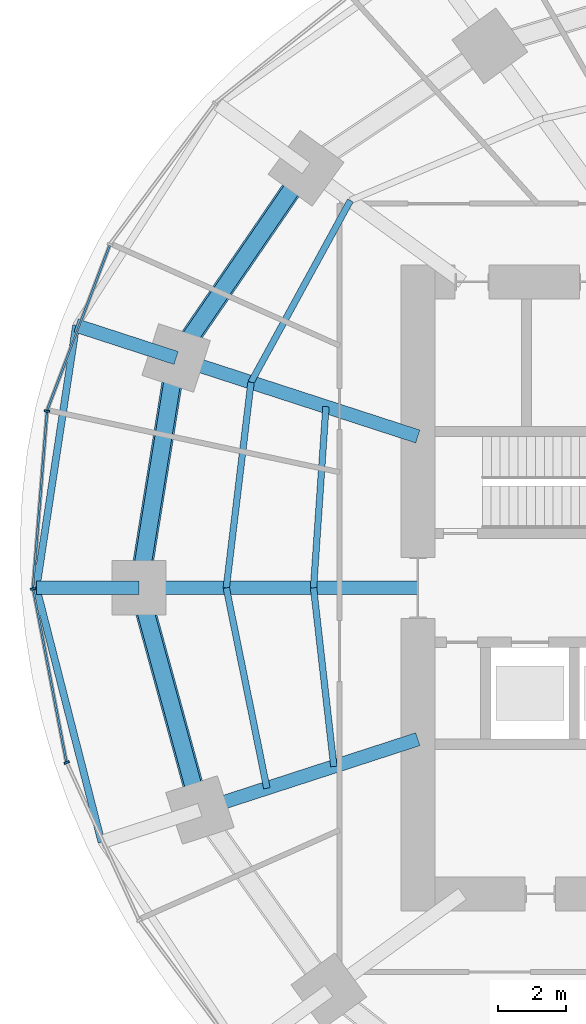
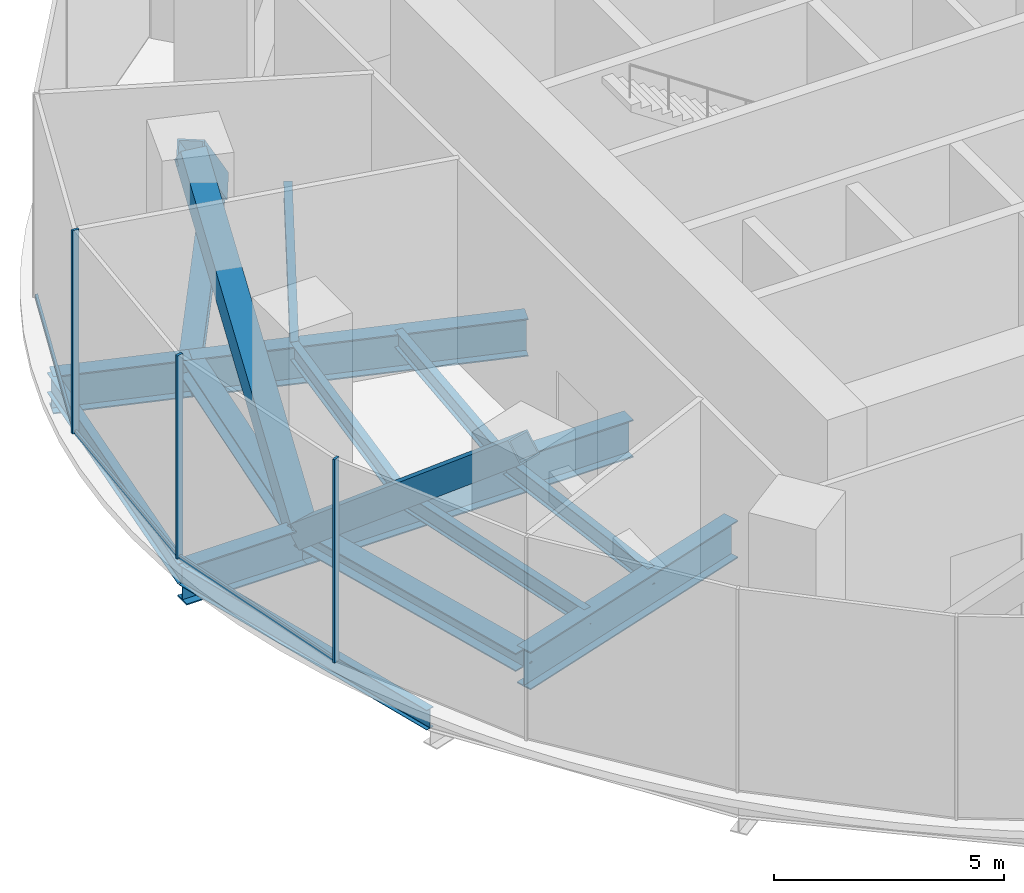
# One storey, part 4 of 14: 12 beams, 12 members, 2 elements without a shape of their own.
"""IFC4 building model written with IfcOpenShell, lengths in metres."""

from ifc_helpers import new_model, si_unit, direction, frame, origin, origin_2d, place, context, subcontext, project, spatial, rectangle, hollow_rectangle, i_section, extrude, material, material_profile, profile_set, type_object, element, aggregate, save


model = new_model("IFC4")

# Units and contexts
model_context = context("Model", 3, precision=1e-05, world=origin(), true_north=direction((0.0, 1.0)))
body_context = subcontext(model_context, "Body", "Model", "MODEL_VIEW")
ifc_project = project(units=[si_unit("LENGTHUNIT", "METRE"), si_unit("AREAUNIT", "SQUARE_METRE"), si_unit("VOLUMEUNIT", "CUBIC_METRE"), si_unit("PLANEANGLEUNIT", "RADIAN"), si_unit("MASSUNIT", "GRAM", prefix="KILO")], contexts=[model_context])

# Site, building, storey
site_placement = place(None, origin())
site = spatial("IfcSite", under=ifc_project, at=site_placement, CompositionType="ELEMENT")
building_placement = place(site_placement, origin())
building = spatial("IfcBuilding", under=site, at=building_placement, Name="Marramba Exchange Tower", CompositionType="ELEMENT")
storey_placement = place(building_placement, frame((0.0, 0.0, 166.5)))
storey = spatial("IfcBuildingStorey", under=building, at=storey_placement, Name="L40", CompositionType="ELEMENT", Elevation=166.5)

# Members
ifc_material_1 = material(Name="Steel AS/NZS 3679.2 grade 300", Category="steel")
ifc_material_profile_1 = material_profile(ifc_material_1, i_section(OverallWidth=0.5, OverallDepth=0.48388671875, WebThickness=0.02490234375, FlangeThickness=0.031982421875, at=origin_2d()), Name="500WC340")
ifc_profile_set_1 = profile_set([ifc_material_profile_1], Name="Steel AS/NZS 3679.2 grade 300")
member_type_1 = type_object("IfcMemberType", Name="Belt truss chord 500WC340", PredefinedType="CHORD", material=ifc_profile_set_1)
member_1_placement = place(storey_placement, frame((-16.98583984375, 12.3408203125, -0.44189453125), z_axis=(-0.56516002054, -0.824981303535, 0.0), x_axis=(0.824981303535, -0.56516002054, 0.0)))
element("IfcMember", 1, at=member_1_placement, inside=storey, type_object=member_type_1, Name="Belt chord L40 TC09-TC10", PredefinedType="CHORD", context=body_context, shape_type="SweptSolid", body=[
    extrude(i_section(OverallWidth=0.5, OverallDepth=0.48388671875, WebThickness=0.02490234375, FlangeThickness=0.031982421875, at=origin_2d()), origin(), (0.0, 0.0, 1.0), 6.763671875),
])
member_2_placement = place(storey_placement, frame((-20.808349609375, 6.760986328125, -0.44189453125), z_axis=(-0.159384865399, -0.987216523708, 0.0), x_axis=(0.987216523708, -0.159384865399, 0.0)))
element("IfcMember", 2, at=member_2_placement, inside=storey, type_object=member_type_1, Name="Belt chord L40 TC10-TC11", PredefinedType="CHORD", context=body_context, shape_type="SweptSolid", body=[
    extrude(i_section(OverallWidth=0.5, OverallDepth=0.48388671875, WebThickness=0.02490234375, FlangeThickness=0.031982421875, at=origin_2d()), origin(), (0.0, 0.0, 1.0), 6.8486328125),
])
member_3_placement = place(storey_placement, frame((-21.89990234375, 0.0, -0.44189453125), z_axis=(0.264291166956, -0.964442937176, 0.0), x_axis=(0.964442937176, 0.264291166956, 0.0)))
element("IfcMember", 3, at=member_3_placement, inside=storey, type_object=member_type_1, Name="Belt chord L40 TC11-TC12", PredefinedType="CHORD", context=body_context, shape_type="SweptSolid", body=[
    extrude(i_section(OverallWidth=0.5, OverallDepth=0.48388671875, WebThickness=0.02490234375, FlangeThickness=0.031982421875, at=origin_2d()), origin(), (0.0, 0.0, 1.0), 6.77490234375),
])
ifc_material_2 = material(Name="Steel AS/NZS 3678 grade 350", Category="steel")
ifc_material_profile_2 = material_profile(ifc_material_2, hollow_rectangle(XDim=0.60009765625, YDim=0.60009765625, WallThickness=0.0400390625, at=origin_2d()), Name="600x600x40BOX")
ifc_profile_set_2 = profile_set([ifc_material_profile_2], Name="Steel AS/NZS 3678 grade 350")
member_type_2 = type_object("IfcMemberType", Name="Belt truss diagonal 600x600x40BOX", PredefinedType="BRACE", material=ifc_profile_set_2)
member_4_placement = place(storey_placement, frame((-16.98583984375, 12.3408203125, -0.44189453125), z_axis=(-0.435320155783, -0.635450096469, 0.63772998743), x_axis=(0.824981303535, -0.56516002054, 0.0)))
element("IfcMember", 4, at=member_4_placement, inside=storey, type_object=member_type_2, Name="Belt truss BT40 diagonal 09", PredefinedType="BRACE", context=body_context, shape_type="SweptSolid", body=[
    extrude(hollow_rectangle(XDim=0.60009765625, YDim=0.60009765625, WallThickness=0.0400390625, at=origin_2d()), origin(), (0.0, 0.0, 1.0), 8.781005859375),
])
member_5_placement = place(storey_placement, frame((-20.808349609375, 6.760986328125, 5.157958984375), z_axis=(-0.12338791563, -0.764254427988, -0.633001257168), x_axis=(0.987216523708, -0.159384865399, 0.0)))
element("IfcMember", 5, at=member_5_placement, inside=storey, type_object=member_type_2, Name="Belt truss BT40 diagonal 10", PredefinedType="BRACE", context=body_context, shape_type="SweptSolid", body=[
    extrude(hollow_rectangle(XDim=0.60009765625, YDim=0.60009765625, WallThickness=0.0400390625, at=origin_2d()), origin(), (0.0, 0.0, 1.0), 8.846435546875),
])
member_6_placement = place(storey_placement, frame((-21.89990234375, 0.0, -0.44189453125), z_axis=(0.203710300646, -0.743373162828, 0.637101604297), x_axis=(0.964442937176, 0.264291166956, 0.0)))
element("IfcMember", 6, at=member_6_placement, inside=storey, type_object=member_type_2, Name="Belt truss BT40 diagonal 11", PredefinedType="BRACE", context=body_context, shape_type="SweptSolid", body=[
    extrude(hollow_rectangle(XDim=0.60009765625, YDim=0.60009765625, WallThickness=0.0400390625, at=origin_2d()), origin(), (0.0, 0.0, 1.0), 8.78955078125),
])

# Beams
ifc_material_profile_3 = material_profile(ifc_material_1, i_section(OverallWidth=0.39990234375, OverallDepth=1.0, WebThickness=0.01611328125, FlangeThickness=0.031982421875, at=origin_2d()), Name="1000WB322")
ifc_profile_set_3 = profile_set([ifc_material_profile_3], Name="Steel AS/NZS 3679.2 grade 300")
beam_type_1 = type_object("IfcBeamType", Name="Cantilever girder 1000WB322", PredefinedType="BEAM", material=ifc_profile_set_3)
beam_1_placement = place(storey_placement, frame((-20.808349609375, 6.760986328125, -0.699951171875), z_axis=(-0.95104799017, 0.309043233858, 0.0), x_axis=(-0.309043233858, -0.95104799017, 0.0)))
element("IfcBeam", 7, at=beam_1_placement, inside=storey, type_object=beam_type_1, Name="Cantilever girder L40 TC10", PredefinedType="BEAM", context=body_context, shape_type="SweptSolid", body=[
    extrude(i_section(OverallWidth=0.39990234375, OverallDepth=1.0, WebThickness=0.01611328125, FlangeThickness=0.031982421875, at=origin_2d()), origin(), (0.0, 0.0, 1.0), 3.0927734375),
])
beam_2_placement = place(storey_placement, frame((-21.89990234375, 0.0, -0.699951171875), z_axis=(-1.0, 0.0, 0.0), x_axis=(0.0, -1.0, 0.0)))
element("IfcBeam", 8, at=beam_2_placement, inside=storey, type_object=beam_type_1, Name="Cantilever girder L40 TC11", PredefinedType="BEAM", context=body_context, shape_type="SweptSolid", body=[
    extrude(i_section(OverallWidth=0.39990234375, OverallDepth=1.0, WebThickness=0.01611328125, FlangeThickness=0.031982421875, at=origin_2d()), origin(), (0.0, 0.0, 1.0), 3.01806640625),
])
ifc_material_3 = material(Name="Steel AS/NZS 3679.1 grade 300", Category="steel")
ifc_material_profile_4 = material_profile(ifc_material_3, i_section(OverallWidth=0.19091796875, OverallDepth=0.4599609375, WebThickness=0.010009765625, FlangeThickness=0.01611328125, FilletRadius=0.011474609375, at=origin_2d()), Name="460UB82.1")
ifc_profile_set_4 = profile_set([ifc_material_profile_4], Name="Steel AS/NZS 3679.1 grade 300")
beam_type_2 = type_object("IfcBeamType", Name="Floor joist 460UB82.1", PredefinedType="JOIST", material=ifc_profile_set_4)
beam_3_placement = place(storey_placement, frame((-15.682373046875, 11.393798828125, -0.429931640625), z_axis=(-0.479584443791, -0.877495732909, 0.0), x_axis=(0.877495732909, -0.479584443791, 0.0)))
element("IfcBeam", 9, at=beam_3_placement, inside=storey, type_object=beam_type_2, Name="Joist L40 bay 09 row 2", PredefinedType="JOIST", context=body_context, shape_type="SweptSolid", body=[
    extrude(i_section(OverallWidth=0.19091796875, OverallDepth=0.4599609375, WebThickness=0.010009765625, FlangeThickness=0.01611328125, FilletRadius=0.011474609375, at=origin_2d()), origin(), (0.0, 0.0, 1.0), 6.094970703125),
])
beam_4_placement = place(storey_placement, frame((-16.40283203125, 5.32958984375, -0.429931640625), z_axis=(-0.068096259546, -0.99767875563, 0.0), x_axis=(0.99767875563, -0.068096259546, 0.0)))
element("IfcBeam", 10, at=beam_4_placement, inside=storey, type_object=beam_type_2, Name="Joist L40 bay 10 row 1", PredefinedType="JOIST", context=body_context, shape_type="SweptSolid", body=[
    extrude(i_section(OverallWidth=0.19091796875, OverallDepth=0.4599609375, WebThickness=0.010009765625, FlangeThickness=0.01611328125, FilletRadius=0.011474609375, at=origin_2d()), origin(), (0.0, 0.0, 1.0), 5.342041015625),
])
beam_5_placement = place(storey_placement, frame((-18.60546875, 6.04541015625, -0.429931640625), z_axis=(-0.119523078538, -0.992831422597, 0.0), x_axis=(0.992831422597, -0.119523078538, 0.0)))
element("IfcBeam", 11, at=beam_5_placement, inside=storey, type_object=beam_type_2, Name="Joist L40 bay 10 row 2", PredefinedType="JOIST", context=body_context, shape_type="SweptSolid", body=[
    extrude(i_section(OverallWidth=0.19091796875, OverallDepth=0.4599609375, WebThickness=0.010009765625, FlangeThickness=0.01611328125, FilletRadius=0.011474609375, at=origin_2d()), origin(), (0.0, 0.0, 1.0), 6.089111328125),
])
beam_6_placement = place(storey_placement, frame((-16.7666015625, 0.0, -0.429931640625), z_axis=(0.112888968594, -0.993607609054, 0.0), x_axis=(0.993607609054, 0.112888968594, 0.0)))
element("IfcBeam", 12, at=beam_6_placement, inside=storey, type_object=beam_type_2, Name="Joist L40 bay 11 row 1", PredefinedType="JOIST", context=body_context, shape_type="SweptSolid", body=[
    extrude(i_section(OverallWidth=0.19091796875, OverallDepth=0.4599609375, WebThickness=0.010009765625, FlangeThickness=0.01611328125, FilletRadius=0.011474609375, at=origin_2d()), origin(), (0.0, 0.0, 1.0), 5.28759765625),
])
beam_7_placement = place(storey_placement, frame((-19.333251953125, 0.0, -0.429931640625), z_axis=(0.198489047047, -0.980103105904, 0.0), x_axis=(0.980103105904, 0.198489047047, 0.0)))
element("IfcBeam", 13, at=beam_7_placement, inside=storey, type_object=beam_type_2, Name="Joist L40 bay 11 row 2", PredefinedType="JOIST", context=body_context, shape_type="SweptSolid", body=[
    extrude(i_section(OverallWidth=0.19091796875, OverallDepth=0.4599609375, WebThickness=0.010009765625, FlangeThickness=0.01611328125, FilletRadius=0.011474609375, at=origin_2d()), origin(), (0.0, 0.0, 1.0), 6.013427734375),
])

# Curtain wall, member
ifc_material_4 = material(Name="Aluminium framing, bronze anodised", Category="aluminium")
curtain_wall_type = type_object("IfcCurtainWallType", Name="Plant floor louvred curtain wall", PredefinedType="USERDEFINED", material=ifc_material_4)
curtain_wall_1_placement = place(storey_placement, origin())
curtain_wall_1 = element("IfcCurtainWall", 14, at=curtain_wall_1_placement, inside=storey, type_object=curtain_wall_type, Name="Curtain wall CW6 L40 F11-F15", ObjectType="RIBBON CURTAIN WALL", PredefinedType="USERDEFINED")
ifc_material_5 = material(Name="Aluminium mullion, bronze anodised", Category="aluminium")
ifc_material_profile_5 = material_profile(ifc_material_5, rectangle(XDim=0.159912109375, YDim=0.06005859375, at=origin_2d()), Name="CW6 mullion 60x160")
ifc_profile_set_5 = profile_set([ifc_material_profile_5], Name="Aluminium mullion, bronze anodised")
member_type_3 = type_object("IfcMemberType", Name="Plant floor louvred curtain wall mullion", PredefinedType="MULLION", material=ifc_profile_set_5)
member_7_placement = place(storey_placement, frame((-24.603515625, 5.19921875, 0.0), z_axis=(0.0, 0.0, 1.0), x_axis=(0.996838079455, -0.079459696383, 0.0)))
member_7 = element("IfcMember", 15, at=member_7_placement, type_object=member_type_3, Name="CW6 mullion 1", PredefinedType="MULLION", context=body_context, shape_type="SweptSolid", body=[
    extrude(rectangle(XDim=0.159912109375, YDim=0.06005859375, at=origin_2d()), origin(), (0.0, 0.0, 1.0), 5.39990234375),
])

# Curtain wall, members
curtain_wall_2_placement = place(storey_placement, origin())
curtain_wall_2 = element("IfcCurtainWall", 16, at=curtain_wall_2_placement, inside=storey, type_object=curtain_wall_type, Name="Curtain wall CW6 L40 F16-F20", ObjectType="RIBBON CURTAIN WALL", PredefinedType="USERDEFINED")
member_8_placement = place(storey_placement, frame((-25.012451171875, -0.029541015625, 0.0), z_axis=(0.0, 0.0, 1.0), x_axis=(0.982125509078, 0.18822721487, 0.0)))
member_8 = element("IfcMember", 17, at=member_8_placement, type_object=member_type_3, Name="CW6 mullion 1", PredefinedType="MULLION", context=body_context, shape_type="SweptSolid", body=[
    extrude(rectangle(XDim=0.159912109375, YDim=0.06005859375, at=origin_2d()), origin(), (0.0, 0.0, 1.0), 5.39990234375),
])
member_9_placement = place(storey_placement, frame((-24.026123046875, -5.136962890625, 0.0), z_axis=(0.0, 0.0, 1.0), x_axis=(0.909026713177, 0.416737848929, 0.0)))
member_9 = element("IfcMember", 18, at=member_9_placement, type_object=member_type_3, Name="CW6 mullion 1", PredefinedType="MULLION", context=body_context, shape_type="SweptSolid", body=[
    extrude(rectangle(XDim=0.159912109375, YDim=0.06005859375, at=origin_2d()), origin(), (0.0, 0.0, 1.0), 5.39990234375),
])

# Member
ifc_material_6 = material(Name="Aluminium transom, bronze anodised", Category="aluminium")
ifc_material_profile_6 = material_profile(ifc_material_6, rectangle(XDim=0.06005859375, YDim=0.1201171875, at=origin_2d()), Name="CW6 transom 60x120")
ifc_profile_set_6 = profile_set([ifc_material_profile_6], Name="Aluminium transom, bronze anodised")
member_type_4 = type_object("IfcMemberType", Name="Plant floor louvred curtain wall transom", PredefinedType="USERDEFINED", material=ifc_profile_set_6)
member_10_placement = place(storey_placement, frame((-22.763916015625, 10.069580078125, 0.030029296875), z_axis=(-0.354851822252, -0.934922555212, 0.0), x_axis=(0.934922555212, -0.354851822252, 0.0)))
member_10 = element("IfcMember", 19, at=member_10_placement, type_object=member_type_4, Name="CW6 sill transom", ObjectType="TRANSOM", PredefinedType="USERDEFINED", context=body_context, shape_type="SweptSolid", body=[
    extrude(rectangle(XDim=0.06005859375, YDim=0.1201171875, at=origin_2d()), origin(), (0.0, 0.0, 1.0), 5.17724609375),
])

member_11_placement = place(storey_placement, frame((-24.60595703125, 5.16943359375, 0.030029296875), z_axis=(-0.07946828762, -0.996837394595, 0.0), x_axis=(0.996837394595, -0.07946828762, 0.0)))
member_11 = element("IfcMember", 20, at=member_11_placement, type_object=member_type_4, Name="CW6 sill transom", ObjectType="TRANSOM", PredefinedType="USERDEFINED", context=body_context, shape_type="SweptSolid", body=[
    extrude(rectangle(XDim=0.06005859375, YDim=0.1201171875, at=origin_2d()), origin(), (0.0, 0.0, 1.0), 5.185791015625),
])

aggregate(curtain_wall_1, [member_10, member_7, member_11])

member_12_placement = place(storey_placement, frame((-25.006591796875, -0.058837890625, 0.030029296875), z_axis=(0.188185293992, -0.982133542409, 0.0), x_axis=(0.982133542409, 0.188185293992, 0.0)))
member_12 = element("IfcMember", 21, at=member_12_placement, type_object=member_type_4, Name="CW6 sill transom", ObjectType="TRANSOM", PredefinedType="USERDEFINED", context=body_context, shape_type="SweptSolid", body=[
    extrude(rectangle(XDim=0.06005859375, YDim=0.1201171875, at=origin_2d()), origin(), (0.0, 0.0, 1.0), 5.142578125),
])

aggregate(curtain_wall_2, [member_8, member_12, member_9])

# Beams
ifc_material_profile_7 = material_profile(ifc_material_1, i_section(OverallWidth=0.39990234375, OverallDepth=1.0, WebThickness=0.01611328125, FlangeThickness=0.031982421875, at=origin_2d()), Name="1000WB322")
ifc_profile_set_7 = profile_set([ifc_material_profile_7], Name="Steel AS/NZS 3679.2 grade 300")
beam_type_3 = type_object("IfcBeamType", Name="Radial girder 1000WB322", PredefinedType="BEAM", material=ifc_profile_set_7)
beam_8_placement = place(storey_placement, frame((-13.699951171875, 4.451416015625, -0.699951171875), z_axis=(-0.951059990189, 0.309006302624, 0.0), x_axis=(-0.309006302624, -0.951059990189, 0.0)))
element("IfcBeam", 22, at=beam_8_placement, inside=storey, type_object=beam_type_3, Name="Radial girder L40 TC10", PredefinedType="BEAM", context=body_context, shape_type="SweptSolid", body=[
    extrude(i_section(OverallWidth=0.39990234375, OverallDepth=1.0, WebThickness=0.01611328125, FlangeThickness=0.031982421875, at=origin_2d()), origin(), (0.0, 0.0, 1.0), 7.47412109375),
])
beam_9_placement = place(storey_placement, frame((-13.699951171875, 0.0, -0.699951171875), z_axis=(-1.0, 0.0, 0.0), x_axis=(0.0, -1.0, 0.0)))
element("IfcBeam", 23, at=beam_9_placement, inside=storey, type_object=beam_type_3, Name="Radial girder L40 TC11", PredefinedType="BEAM", context=body_context, shape_type="SweptSolid", body=[
    extrude(i_section(OverallWidth=0.39990234375, OverallDepth=1.0, WebThickness=0.01611328125, FlangeThickness=0.031982421875, at=origin_2d()), origin(), (0.0, 0.0, 1.0), 8.199951171875),
])
beam_10_placement = place(storey_placement, frame((-13.699951171875, -4.451416015625, -0.699951171875), z_axis=(-0.951057759669, -0.309013167637, 0.0), x_axis=(0.309013167637, -0.951057759669, 0.0)))
element("IfcBeam", 24, at=beam_10_placement, inside=storey, type_object=beam_type_3, Name="Radial girder L40 TC12", PredefinedType="BEAM", context=body_context, shape_type="SweptSolid", body=[
    extrude(i_section(OverallWidth=0.39990234375, OverallDepth=1.0, WebThickness=0.01611328125, FlangeThickness=0.031982421875, at=origin_2d()), origin(), (0.0, 0.0, 1.0), 6.7392578125),
])
ifc_material_profile_8 = material_profile(ifc_material_3, i_section(OverallWidth=0.208984375, OverallDepth=0.528076171875, WebThickness=0.009521484375, FlangeThickness=0.01318359375, FilletRadius=0.013916015625, at=origin_2d()), Name="530UB82.0")
ifc_profile_set_8 = profile_set([ifc_material_profile_8], Name="Steel AS/NZS 3679.1 grade 300")
beam_type_4 = type_object("IfcBeamType", Name="Slab edge beam 530UB82.0", PredefinedType="SPANDREL", material=ifc_profile_set_8)
beam_11_placement = place(storey_placement, frame((-23.749755859375, 7.716796875, -0.464111328125), z_axis=(-0.149680281727, -0.988734450326, 0.0), x_axis=(0.988734450326, -0.149680281727, 0.0)))
element("IfcBeam", 25, at=beam_11_placement, inside=storey, type_object=beam_type_4, Name="Slab edge beam L40 TC10-TC11", PredefinedType="SPANDREL", context=body_context, shape_type="SweptSolid", body=[
    extrude(i_section(OverallWidth=0.208984375, OverallDepth=0.528076171875, WebThickness=0.009521484375, FlangeThickness=0.01318359375, FilletRadius=0.013916015625, at=origin_2d()), origin(), (0.0, 0.0, 1.0), 7.8046875),
])
beam_12_placement = place(storey_placement, frame((-24.91796875, 0.0, -0.464111328125), z_axis=(0.248145427917, -0.968722791413, 0.0), x_axis=(0.968722791413, 0.248145427917, 0.0)))
element("IfcBeam", 26, at=beam_12_placement, inside=storey, type_object=beam_type_4, Name="Slab edge beam L40 TC11-TC12", PredefinedType="SPANDREL", context=body_context, shape_type="SweptSolid", body=[
    extrude(i_section(OverallWidth=0.208984375, OverallDepth=0.528076171875, WebThickness=0.009521484375, FlangeThickness=0.01318359375, FilletRadius=0.013916015625, at=origin_2d()), origin(), (0.0, 0.0, 1.0), 7.71533203125),
])

save(model, "model.ifc")
